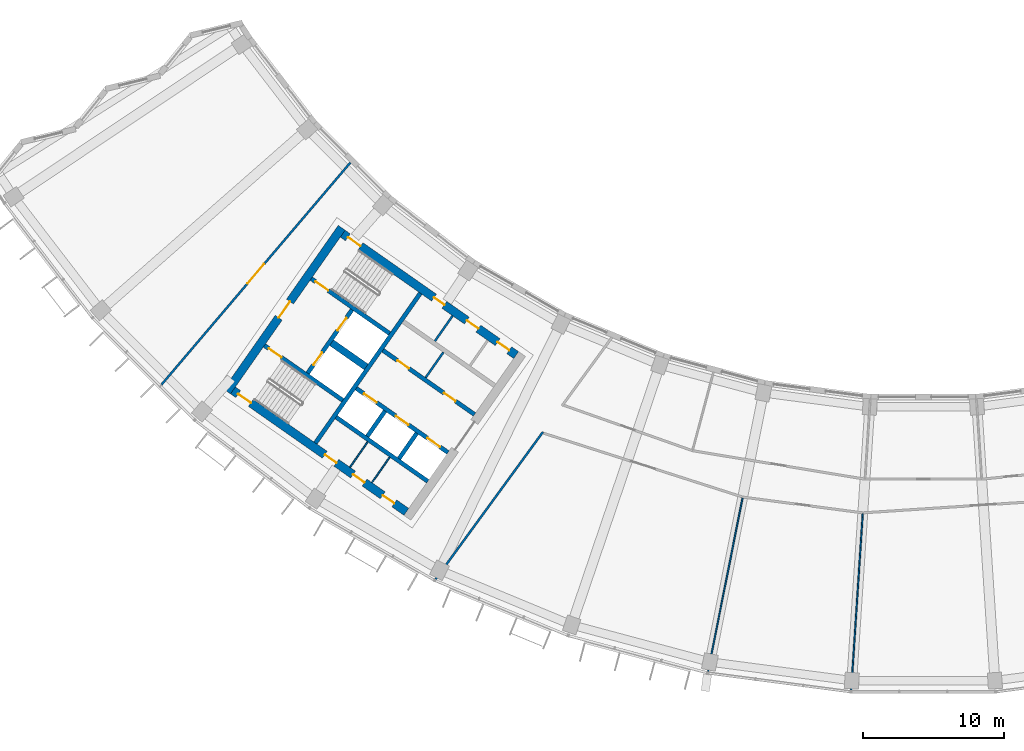
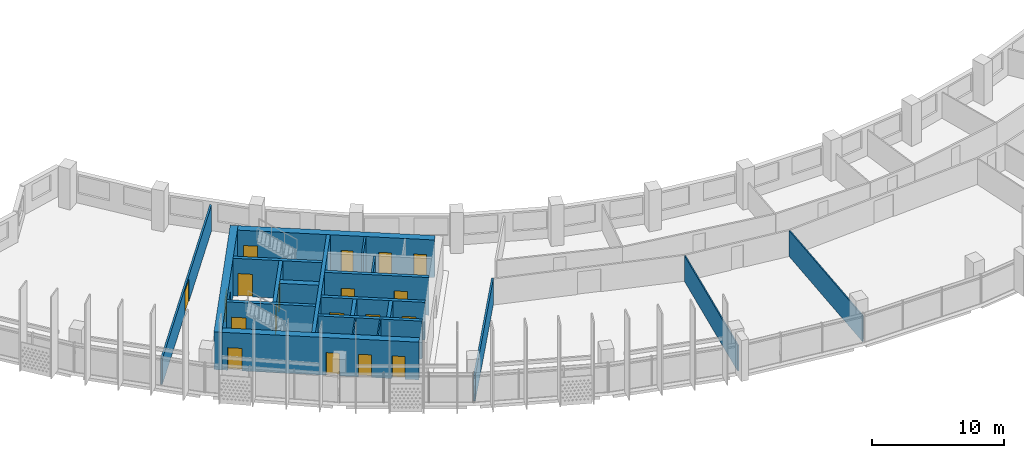
# One storey, part 3 of 27: 21 walls, 19 doors, 19 openings.
"""IFC4 building model written with IfcOpenShell, lengths in metres."""

from ifc_helpers import new_model, si_unit, direction, frame, frame_2d, origin, place, context, subcontext, project, spatial, rectangle, extrude, material, layer, layer_set, type_object, element, fill, save


model = new_model("IFC4")

# Units and contexts
model_context = context("Model", 3, precision=1e-05, world=origin(), true_north=direction((0.0, 1.0)))
body_context = subcontext(model_context, "Body", "Model", "MODEL_VIEW")
ifc_project = project(units=[si_unit("LENGTHUNIT", "METRE"), si_unit("AREAUNIT", "SQUARE_METRE"), si_unit("VOLUMEUNIT", "CUBIC_METRE"), si_unit("PLANEANGLEUNIT", "RADIAN"), si_unit("MASSUNIT", "GRAM", prefix="KILO")], contexts=[model_context])

# Site, building, storey
site_placement = place(None, origin())
site = spatial("IfcSite", under=ifc_project, at=site_placement, CompositionType="ELEMENT")
building_placement = place(site_placement, origin())
building = spatial("IfcBuilding", under=site, at=building_placement, Name="Qamariyya Broadcast Tower", CompositionType="ELEMENT")
storey_placement = place(building_placement, frame((0.0, 0.0, 211.300048828125)))
storey = spatial("IfcBuildingStorey", under=building, at=storey_placement, Name="L50", CompositionType="ELEMENT", Elevation=211.300048828125)

# Wall, opening, door
ifc_material_1 = material(Name="Concrete C60/75", Category="concrete")
ifc_layer_1 = layer(ifc_material_1, 0.60009765625)
ifc_layer_set_1 = layer_set([ifc_layer_1], Name="Core wall 600 mm Concrete C60/75")
wall_type_1 = type_object("IfcWallType", Name="Core wall 600 mm Concrete C60/75", PredefinedType="SHEAR", material=ifc_layer_set_1)
wall_1_placement = place(storey_placement, frame((-49.4833984375, -57.031494140625, 0.0), z_axis=(0.0, 0.0, 1.0), x_axis=(0.573560421458, 0.819163257805, 0.0)))
wall_1 = element("IfcWall", 1, at=wall_1_placement, inside=storey, type_object=wall_type_1, Name="k-W-L50-WH", PredefinedType="SHEAR", context=body_context, shape_type="SweptSolid", body=[
    extrude(rectangle(XDim=14.199951171875, YDim=0.60009765625, at=frame_2d((7.10009765625, 0.0))), origin(), (0.0, 0.0, 1.0), 3.5),
])
opening_1_placement = place(wall_1_placement, frame((6.39990234375, 0.0, 0.0)))
opening_1 = element("IfcOpeningElement", 2, at=opening_1_placement, cuts=wall_1, Name="Opening KD2-W1", PredefinedType="OPENING", context=body_context, shape_type="SweptSolid", body=[
    extrude(rectangle(XDim=1.39990234375, YDim=2.10009765625, at=frame_2d((0.699951171875, 1.050048828125))), frame((0.0, 0.31005859375, 0.0), z_axis=(0.0, -1.0, 0.0), x_axis=(1.0, 0.0, 0.0)), (0.0, 0.0, 1.0), 0.6201171875),
])
ifc_material_2 = material(Name="Steel fire-resisting door leaf", Category="steel")
door_type_1 = type_object("IfcDoorType", Name="Fire-fighting lobby door KD2", OperationType="DOUBLE_DOOR_SINGLE_SWING", PredefinedType="DOOR", material=ifc_material_2)
door_1_placement = place(opening_1_placement, origin())
door_1 = element("IfcDoor", 3, at=door_1_placement, inside=storey, type_object=door_type_1, Name="k-W-L50-WH-D15", OperationType="DOUBLE_DOOR_SINGLE_SWING", OverallHeight=2.10009765625, OverallWidth=1.39990234375, PredefinedType="DOOR", context=body_context, shape_type="SweptSolid", body=[
    extrude(rectangle(XDim=1.39990234375, YDim=2.10009765625, at=frame_2d((0.699951171875, 1.050048828125))), frame((0.0, 0.02490234375, 0.0), z_axis=(0.0, -1.0, 0.0), x_axis=(1.0, 0.0, 0.0)), (0.0, 0.0, 1.0), 0.050048828125),
])
fill(opening_1, door_1)

# Wall, openings, doors
wall_2_placement = place(storey_placement, frame((-28.940673828125, -54.447021484375, 0.0), z_axis=(0.0, 0.0, 1.0), x_axis=(-0.819153391756, 0.573574511963, 0.0)))
wall_2 = element("IfcWall", 4, at=wall_2_placement, inside=storey, type_object=wall_type_1, Name="k-W-L50-WI", PredefinedType="SHEAR", context=body_context, shape_type="SweptSolid", body=[
    extrude(rectangle(XDim=15.04541015625, YDim=0.60009765625, at=frame_2d((7.522705078125, 0.0))), origin(), (0.0, 0.0, 1.0), 3.5),
])
opening_2_placement = place(wall_2_placement, frame((0.60009765625, 0.0, 0.0)))
opening_2 = element("IfcOpeningElement", 5, at=opening_2_placement, cuts=wall_2, Name="Opening KD7-W1", PredefinedType="OPENING", context=body_context, shape_type="SweptSolid", body=[
    extrude(rectangle(XDim=1.0, YDim=2.10009765625, at=frame_2d((0.5, 1.050048828125))), frame((0.0, 0.31005859375, 0.0), z_axis=(0.0, -1.0, 0.0), x_axis=(1.0, 0.0, 0.0)), (0.0, 0.0, 1.0), 0.6201171875),
])
opening_3_placement = place(wall_2_placement, frame((3.27490234375, 0.0, 0.0)))
opening_3 = element("IfcOpeningElement", 6, at=opening_3_placement, cuts=wall_2, Name="Opening KD6-W3", PredefinedType="OPENING", context=body_context, shape_type="SweptSolid", body=[
    extrude(rectangle(XDim=1.0, YDim=2.10009765625, at=frame_2d((0.5, 1.050048828125))), frame((0.0, 0.31005859375, 0.0), z_axis=(0.0, -1.0, 0.0), x_axis=(1.0, 0.0, 0.0)), (0.0, 0.0, 1.0), 0.6201171875),
])
opening_4_placement = place(wall_2_placement, frame((6.22509765625, 0.0, 0.0)))
opening_4 = element("IfcOpeningElement", 7, at=opening_4_placement, cuts=wall_2, Name="Opening KD5-W1", PredefinedType="OPENING", context=body_context, shape_type="SweptSolid", body=[
    extrude(rectangle(XDim=0.89990234375, YDim=2.10009765625, at=frame_2d((0.449951171875, 1.050048828125))), frame((0.0, 0.31005859375, 0.0), z_axis=(0.0, -1.0, 0.0), x_axis=(1.0, 0.0, 0.0)), (0.0, 0.0, 1.0), 0.6201171875),
])
opening_5_placement = place(wall_2_placement, frame((13.495361328125, 0.0, 0.0)))
opening_5 = element("IfcOpeningElement", 8, at=opening_5_placement, cuts=wall_2, Name="Opening KD1-W1", PredefinedType="OPENING", context=body_context, shape_type="SweptSolid", body=[
    extrude(rectangle(XDim=1.10009765625, YDim=2.10009765625, at=frame_2d((0.550048828125, 1.050048828125))), frame((0.0, 0.31005859375, 0.0), z_axis=(0.0, -1.0, 0.0), x_axis=(1.0, 0.0, 0.0)), (0.0, 0.0, 1.0), 0.6201171875),
])
door_type_2 = type_object("IfcDoorType", Name="Accessible toilet door KD7", OperationType="SINGLE_SWING_LEFT", PredefinedType="DOOR", material=ifc_material_2)
door_2_placement = place(opening_2_placement, origin())
door_2 = element("IfcDoor", 9, at=door_2_placement, inside=storey, type_object=door_type_2, Name="k-W-L50-WI-D7", OperationType="SINGLE_SWING_RIGHT", OverallHeight=2.10009765625, OverallWidth=1.0, PredefinedType="DOOR", context=body_context, shape_type="SweptSolid", body=[
    extrude(rectangle(XDim=1.0, YDim=2.10009765625, at=frame_2d((0.5, 1.050048828125))), frame((0.0, 0.02490234375, 0.0), z_axis=(0.0, -1.0, 0.0), x_axis=(1.0, 0.0, 0.0)), (0.0, 0.0, 1.0), 0.050048828125),
])
fill(opening_2, door_2)
door_type_3 = type_object("IfcDoorType", Name="Core room door KD6", OperationType="SINGLE_SWING_LEFT", PredefinedType="DOOR", material=ifc_material_2)
door_3_placement = place(opening_3_placement, origin())
door_3 = element("IfcDoor", 10, at=door_3_placement, inside=storey, type_object=door_type_3, Name="k-W-L50-WI-D8", OperationType="SINGLE_SWING_LEFT", OverallHeight=2.10009765625, OverallWidth=1.0, PredefinedType="DOOR", context=body_context, shape_type="SweptSolid", body=[
    extrude(rectangle(XDim=1.0, YDim=2.10009765625, at=frame_2d((0.5, 1.050048828125))), frame((0.0, 0.02490234375, 0.0), z_axis=(0.0, -1.0, 0.0), x_axis=(1.0, 0.0, 0.0)), (0.0, 0.0, 1.0), 0.050048828125),
])
fill(opening_3, door_3)
door_type_4 = type_object("IfcDoorType", Name="Stair door KD1", OperationType="SINGLE_SWING_LEFT", PredefinedType="DOOR", material=ifc_material_2)
door_4_placement = place(opening_5_placement, origin())
door_4 = element("IfcDoor", 11, at=door_4_placement, inside=storey, type_object=door_type_4, Name="k-W-L50-WI-D16", OperationType="SINGLE_SWING_RIGHT", OverallHeight=2.10009765625, OverallWidth=1.10009765625, PredefinedType="DOOR", context=body_context, shape_type="SweptSolid", body=[
    extrude(rectangle(XDim=1.10009765625, YDim=2.10009765625, at=frame_2d((0.550048828125, 1.050048828125))), frame((0.0, 0.02490234375, 0.0), z_axis=(0.0, -1.0, 0.0), x_axis=(1.0, 0.0, 0.0)), (0.0, 0.0, 1.0), 0.050048828125),
])
fill(opening_5, door_4)
door_type_5 = type_object("IfcDoorType", Name="Toilet door KD5", OperationType="SINGLE_SWING_LEFT", PredefinedType="DOOR", material=ifc_material_2)
door_5_placement = place(opening_4_placement, origin())
door_5 = element("IfcDoor", 12, at=door_5_placement, inside=storey, type_object=door_type_5, Name="k-W-L50-WI-D9", OperationType="SINGLE_SWING_RIGHT", OverallHeight=2.10009765625, OverallWidth=0.89990234375, PredefinedType="DOOR", context=body_context, shape_type="SweptSolid", body=[
    extrude(rectangle(XDim=0.89990234375, YDim=2.10009765625, at=frame_2d((0.449951171875, 1.050048828125))), frame((0.0, 0.02490234375, 0.0), z_axis=(0.0, -1.0, 0.0), x_axis=(1.0, 0.0, 0.0)), (0.0, 0.0, 1.0), 0.050048828125),
])
fill(opening_4, door_5)

wall_3_placement = place(storey_placement, frame((-36.7412109375, -65.58740234375, 0.0), z_axis=(0.0, 0.0, 1.0), x_axis=(-0.819153391756, 0.573574511963, 0.0)))
wall_3 = element("IfcWall", 13, at=wall_3_placement, inside=storey, type_object=wall_type_1, Name="k-W-L50-WO", PredefinedType="SHEAR", context=body_context, shape_type="SweptSolid", body=[
    extrude(rectangle(XDim=15.04541015625, YDim=0.60009765625, at=frame_2d((7.522705078125, 0.0))), origin(), (0.0, 0.0, 1.0), 3.5),
])
opening_6_placement = place(wall_3_placement, frame((1.050048828125, 0.0, 0.0)))
opening_6 = element("IfcOpeningElement", 14, at=opening_6_placement, cuts=wall_3, Name="Opening KD4-W1", PredefinedType="OPENING", context=body_context, shape_type="SweptSolid", body=[
    extrude(rectangle(XDim=1.0, YDim=2.10009765625, at=frame_2d((0.5, 1.050048828125))), frame((0.0, 0.31005859375, 0.0), z_axis=(0.0, -1.0, 0.0), x_axis=(1.0, 0.0, 0.0)), (0.0, 0.0, 1.0), 0.6201171875),
])
opening_7_placement = place(wall_3_placement, frame((3.625, 0.0, 0.0)))
opening_7 = element("IfcOpeningElement", 15, at=opening_7_placement, cuts=wall_3, Name="Opening KD4-W2", PredefinedType="OPENING", context=body_context, shape_type="SweptSolid", body=[
    extrude(rectangle(XDim=1.0, YDim=2.10009765625, at=frame_2d((0.5, 1.050048828125))), frame((0.0, 0.31005859375, 0.0), z_axis=(0.0, -1.0, 0.0), x_axis=(1.0, 0.0, 0.0)), (0.0, 0.0, 1.0), 0.6201171875),
])
opening_8_placement = place(wall_3_placement, frame((6.074951171875, 0.0, 0.0)))
opening_8 = element("IfcOpeningElement", 16, at=opening_8_placement, cuts=wall_3, Name="Opening KD6-W4", PredefinedType="OPENING", context=body_context, shape_type="SweptSolid", body=[
    extrude(rectangle(XDim=1.0, YDim=2.10009765625, at=frame_2d((0.5, 1.050048828125))), frame((0.0, 0.31005859375, 0.0), z_axis=(0.0, -1.0, 0.0), x_axis=(1.0, 0.0, 0.0)), (0.0, 0.0, 1.0), 0.6201171875),
])
opening_9_placement = place(wall_3_placement, frame((13.495361328125, 0.0, 0.0)))
opening_9 = element("IfcOpeningElement", 17, at=opening_9_placement, cuts=wall_3, Name="Opening KD1-W3", PredefinedType="OPENING", context=body_context, shape_type="SweptSolid", body=[
    extrude(rectangle(XDim=1.10009765625, YDim=2.10009765625, at=frame_2d((0.550048828125, 1.050048828125))), frame((0.0, 0.31005859375, 0.0), z_axis=(0.0, -1.0, 0.0), x_axis=(1.0, 0.0, 0.0)), (0.0, 0.0, 1.0), 0.6201171875),
])
door_6_placement = place(opening_8_placement, origin())
door_6 = element("IfcDoor", 18, at=door_6_placement, inside=storey, type_object=door_type_3, Name="k-W-L50-WO-D12", OperationType="SINGLE_SWING_LEFT", OverallHeight=2.10009765625, OverallWidth=1.0, PredefinedType="DOOR", context=body_context, shape_type="SweptSolid", body=[
    extrude(rectangle(XDim=1.0, YDim=2.10009765625, at=frame_2d((0.5, 1.050048828125))), frame((0.0, 0.02490234375, 0.0), z_axis=(0.0, -1.0, 0.0), x_axis=(1.0, 0.0, 0.0)), (0.0, 0.0, 1.0), 0.050048828125),
])
fill(opening_8, door_6)
door_type_6 = type_object("IfcDoorType", Name="Riser and plant door KD4", OperationType="SINGLE_SWING_LEFT", PredefinedType="DOOR", material=ifc_material_2)
door_7_placement = place(opening_6_placement, origin())
door_7 = element("IfcDoor", 19, at=door_7_placement, inside=storey, type_object=door_type_6, Name="k-W-L50-WO-D10", OperationType="SINGLE_SWING_LEFT", OverallHeight=2.10009765625, OverallWidth=1.0, PredefinedType="DOOR", context=body_context, shape_type="SweptSolid", body=[
    extrude(rectangle(XDim=1.0, YDim=2.10009765625, at=frame_2d((0.5, 1.050048828125))), frame((0.0, 0.02490234375, 0.0), z_axis=(0.0, -1.0, 0.0), x_axis=(1.0, 0.0, 0.0)), (0.0, 0.0, 1.0), 0.050048828125),
])
fill(opening_6, door_7)
door_8_placement = place(opening_7_placement, origin())
door_8 = element("IfcDoor", 20, at=door_8_placement, inside=storey, type_object=door_type_6, Name="k-W-L50-WO-D11", OperationType="SINGLE_SWING_RIGHT", OverallHeight=2.10009765625, OverallWidth=1.0, PredefinedType="DOOR", context=body_context, shape_type="SweptSolid", body=[
    extrude(rectangle(XDim=1.0, YDim=2.10009765625, at=frame_2d((0.5, 1.050048828125))), frame((0.0, 0.02490234375, 0.0), z_axis=(0.0, -1.0, 0.0), x_axis=(1.0, 0.0, 0.0)), (0.0, 0.0, 1.0), 0.050048828125),
])
fill(opening_7, door_8)
door_9_placement = place(opening_9_placement, origin())
door_9 = element("IfcDoor", 21, at=door_9_placement, inside=storey, type_object=door_type_4, Name="k-W-L50-WO-D18", OperationType="SINGLE_SWING_LEFT", OverallHeight=2.10009765625, OverallWidth=1.10009765625, PredefinedType="DOOR", context=body_context, shape_type="SweptSolid", body=[
    extrude(rectangle(XDim=1.10009765625, YDim=2.10009765625, at=frame_2d((0.550048828125, 1.050048828125))), frame((0.0, 0.02490234375, 0.0), z_axis=(0.0, -1.0, 0.0), x_axis=(1.0, 0.0, 0.0)), (0.0, 0.0, 1.0), 0.050048828125),
])
fill(opening_9, door_9)

# Wall, opening, door
ifc_material_3 = material(Name="Gypsum board partition")
ifc_layer_2 = layer(ifc_material_3, 0.14990234375)
ifc_layer_set_2 = layer_set([ifc_layer_2], Name="Corridor partition 150 EI 60")
wall_type_2 = type_object("IfcWallType", Name="Corridor partition 150 EI 60", PredefinedType="PARTITIONING", material=ifc_layer_set_2)
wall_4_placement = place(storey_placement, frame((-54.15283203125, -56.554931640625, 0.0), z_axis=(0.0, 0.0, 1.0), x_axis=(0.647962636986, 0.761672121762, 0.0)))
wall_4 = element("IfcWall", 22, at=wall_4_placement, inside=storey, type_object=wall_type_2, Name="Partition L50-001", PredefinedType="PARTITIONING", context=body_context, shape_type="SweptSolid", body=[
    extrude(rectangle(XDim=20.723388671875, YDim=0.14990234375, at=frame_2d((10.36181640625, 0.0))), origin(), (0.0, 0.0, 1.0), 2.39990234375),
])
opening_10_placement = place(wall_4_placement, frame((9.461669921875, 0.0, 0.0)))
opening_10 = element("IfcOpeningElement", 23, at=opening_10_placement, cuts=wall_4, Name="Opening L50-D12", PredefinedType="OPENING", context=body_context, shape_type="SweptSolid", body=[
    extrude(rectangle(XDim=1.800048828125, YDim=2.10009765625, at=frame_2d((0.89990234375, 1.050048828125))), frame((0.0, 0.0849609375, 0.0), z_axis=(0.0, -1.0, 0.0), x_axis=(1.0, 0.0, 0.0)), (0.0, 0.0, 1.0), 0.169921875),
])
ifc_material_4 = material(Name="Timber fire door leaf", Category="wood")
door_type_7 = type_object("IfcDoorType", Name="Double fire door 1800 x 2100 FD60", OperationType="NOTDEFINED", PredefinedType="DOOR", material=ifc_material_4)
door_10_placement = place(opening_10_placement, origin())
door_10 = element("IfcDoor", 24, at=door_10_placement, inside=storey, type_object=door_type_7, Name="Door L50-D12", OperationType="DOUBLE_DOOR_SINGLE_SWING", OverallHeight=2.10009765625, OverallWidth=1.800048828125, PredefinedType="DOOR", context=body_context, shape_type="SweptSolid", body=[
    extrude(rectangle(XDim=1.800048828125, YDim=2.10009765625, at=frame_2d((0.89990234375, 1.050048828125))), frame((0.0, 0.02490234375, 0.0), z_axis=(0.0, -1.0, 0.0), x_axis=(1.0, 0.0, 0.0)), (0.0, 0.0, 1.0), 0.050048828125),
])
fill(opening_10, door_10)

# Walls
wall_5_placement = place(storey_placement, frame((-27.033447265625, -59.90966796875, 0.0), z_axis=(0.0, 0.0, 1.0), x_axis=(-0.589273648147, -0.807933516819, 0.0)))
element("IfcWall", 25, at=wall_5_placement, inside=storey, type_object=wall_type_2, Name="Partition L50-002", PredefinedType="PARTITIONING", context=body_context, shape_type="SweptSolid", body=[
    extrude(rectangle(XDim=12.956298828125, YDim=0.14990234375, at=frame_2d((6.47802734375, 0.0))), origin(), (0.0, 0.0, 1.0), 2.39990234375),
])
ifc_layer_3 = layer(ifc_material_1, 0.5)
ifc_layer_set_3 = layer_set([ifc_layer_3], Name="Fire-fighting lobby divider wall 500 mm Concrete C60/75")
wall_type_3 = type_object("IfcWallType", Name="Fire-fighting lobby divider wall 500 mm Concrete C60/75", PredefinedType="SOLIDWALL", material=ifc_layer_set_3)
wall_6_placement = place(storey_placement, frame((-39.59912109375, -55.28515625, 0.0), z_axis=(0.0, 0.0, 1.0), x_axis=(-0.819136323161, 0.573598887793, 0.0)))
element("IfcWall", 26, at=wall_6_placement, inside=storey, type_object=wall_type_3, Name="k-W-L50-FD", PredefinedType="SOLIDWALL", context=body_context, shape_type="SweptSolid", body=[
    extrude(rectangle(XDim=2.999755859375, YDim=0.5, at=frame_2d((1.5, 0.0))), origin(), (0.0, 0.0, 1.0), 3.5),
])
ifc_material_5 = material(Name="Gypsum board partition on steel studs", Category="steel")
ifc_layer_4 = layer(ifc_material_5, 0.14990234375)
ifc_layer_set_4 = layer_set([ifc_layer_4], Name="Gypsum board partition 150 mm")
wall_type_4 = type_object("IfcWallType", Name="Gypsum board partition 150 mm", PredefinedType="PARTITIONING", material=ifc_layer_set_4)
wall_7_placement = place(storey_placement, frame((-35.371826171875, -56.047607421875, 0.0), z_axis=(0.0, 0.0, 1.0), x_axis=(0.573559170999, 0.819164133348, 0.0)))
element("IfcWall", 27, at=wall_7_placement, inside=storey, type_object=wall_type_4, Name="k-W-L50-NC435", PredefinedType="PARTITIONING", context=body_context, shape_type="SweptSolid", body=[
    extrude(rectangle(XDim=2.19970703125, YDim=0.14990234375, at=frame_2d((1.099853515625, 0.0))), origin(), (0.0, 0.0, 1.0), 3.5),
])
wall_8_placement = place(storey_placement, frame((-34.716064453125, -53.454833984375, 0.0), z_axis=(0.0, 0.0, 1.0), x_axis=(0.573507030513, 0.819200638399, 0.0)))
element("IfcWall", 28, at=wall_8_placement, inside=storey, type_object=wall_type_4, Name="k-W-L50-NP530", PredefinedType="PARTITIONING", context=body_context, shape_type="SweptSolid", body=[
    extrude(rectangle(XDim=2.199951171875, YDim=0.14990234375, at=frame_2d((1.10009765625, 0.0))), origin(), (0.0, 0.0, 1.0), 3.5),
])
ifc_layer_5 = layer(ifc_material_1, 0.300048828125)
ifc_layer_set_5 = layer_set([ifc_layer_5], Name="Lift shaft wall 300 mm Concrete C60/75")
wall_type_5 = type_object("IfcWallType", Name="Lift shaft wall 300 mm Concrete C60/75", PredefinedType="SOLIDWALL", material=ifc_layer_set_5)
wall_9_placement = place(storey_placement, frame((-43.204345703125, -60.69580078125, 0.0), z_axis=(0.0, 0.0, 1.0), x_axis=(0.573571992966, 0.819155155563, 0.0)))
element("IfcWall", 29, at=wall_9_placement, inside=storey, type_object=wall_type_5, Name="k-W-L50-WL", PredefinedType="SOLIDWALL", context=body_context, shape_type="SweptSolid", body=[
    extrude(rectangle(XDim=13.000244140625, YDim=0.300048828125, at=frame_2d((6.5, 0.0))), origin(), (0.0, 0.0, 1.0), 3.5),
])

# Wall, openings, doors
wall_10_placement = place(storey_placement, frame((-31.89453125, -58.66552734375, 0.0), z_axis=(0.0, 0.0, 1.0), x_axis=(-0.819166993208, 0.573555086491, 0.0)))
wall_10 = element("IfcWall", 30, at=wall_10_placement, inside=storey, type_object=wall_type_5, Name="k-W-L50-NF0", PredefinedType="SOLIDWALL", context=body_context, shape_type="SweptSolid", body=[
    extrude(rectangle(XDim=7.9501953125, YDim=0.300048828125, at=frame_2d((3.97509765625, 0.0))), origin(), (0.0, 0.0, 1.0), 3.5),
])
opening_11_placement = place(wall_10_placement, frame((1.637451171875, 0.0, 0.0)))
opening_11 = element("IfcOpeningElement", 31, at=opening_11_placement, cuts=wall_10, Name="Opening KD6-W1", PredefinedType="OPENING", context=body_context, shape_type="SweptSolid", body=[
    extrude(rectangle(XDim=1.0, YDim=2.10009765625, at=frame_2d((0.5, 1.050048828125))), frame((0.0, 0.159912109375, 0.0), z_axis=(0.0, -1.0, 0.0), x_axis=(1.0, 0.0, 0.0)), (0.0, 0.0, 1.0), 0.320068359375),
])
opening_12_placement = place(wall_10_placement, frame((5.6875, 0.0, 0.0)))
opening_12 = element("IfcOpeningElement", 32, at=opening_12_placement, cuts=wall_10, Name="Opening KD6-W2", PredefinedType="OPENING", context=body_context, shape_type="SweptSolid", body=[
    extrude(rectangle(XDim=1.0, YDim=2.10009765625, at=frame_2d((0.5, 1.050048828125))), frame((0.0, 0.159912109375, 0.0), z_axis=(0.0, -1.0, 0.0), x_axis=(1.0, 0.0, 0.0)), (0.0, 0.0, 1.0), 0.320068359375),
])
door_11_placement = place(opening_11_placement, origin())
door_11 = element("IfcDoor", 33, at=door_11_placement, inside=storey, type_object=door_type_3, Name="k-W-L50-NF0-D2", OperationType="SINGLE_SWING_LEFT", OverallHeight=2.10009765625, OverallWidth=1.0, PredefinedType="DOOR", context=body_context, shape_type="SweptSolid", body=[
    extrude(rectangle(XDim=1.0, YDim=2.10009765625, at=frame_2d((0.5, 1.050048828125))), frame((0.0, 0.02490234375, 0.0), z_axis=(0.0, -1.0, 0.0), x_axis=(1.0, 0.0, 0.0)), (0.0, 0.0, 1.0), 0.050048828125),
])
fill(opening_11, door_11)
door_12_placement = place(opening_12_placement, origin())
door_12 = element("IfcDoor", 34, at=door_12_placement, inside=storey, type_object=door_type_3, Name="k-W-L50-NF0-D3", OperationType="SINGLE_SWING_RIGHT", OverallHeight=2.10009765625, OverallWidth=1.0, PredefinedType="DOOR", context=body_context, shape_type="SweptSolid", body=[
    extrude(rectangle(XDim=1.0, YDim=2.10009765625, at=frame_2d((0.5, 1.050048828125))), frame((0.0, 0.02490234375, 0.0), z_axis=(0.0, -1.0, 0.0), x_axis=(1.0, 0.0, 0.0)), (0.0, 0.0, 1.0), 0.050048828125),
])
fill(opening_12, door_12)

wall_11_placement = place(storey_placement, frame((-33.787353515625, -61.368896484375, 0.0), z_axis=(0.0, 0.0, 1.0), x_axis=(-0.819152564888, 0.573575692858, 0.0)))
wall_11 = element("IfcWall", 35, at=wall_11_placement, inside=storey, type_object=wall_type_5, Name="k-W-L50-SF0", PredefinedType="SOLIDWALL", context=body_context, shape_type="SweptSolid", body=[
    extrude(rectangle(XDim=7.9501953125, YDim=0.300048828125, at=frame_2d((3.97509765625, 0.0))), origin(), (0.0, 0.0, 1.0), 3.5),
])
opening_13_placement = place(wall_11_placement, frame((0.675048828125, 0.0, 0.0)))
opening_13 = element("IfcOpeningElement", 36, at=opening_13_placement, cuts=wall_11, Name="Opening LD", PredefinedType="OPENING", context=body_context, shape_type="SweptSolid", body=[
    extrude(rectangle(XDim=1.10009765625, YDim=2.10009765625, at=frame_2d((0.550048828125, 1.050048828125))), frame((0.0, 0.159912109375, 0.0), z_axis=(0.0, -1.0, 0.0), x_axis=(1.0, 0.0, 0.0)), (0.0, 0.0, 1.0), 0.320068359375),
])
opening_14_placement = place(wall_11_placement, frame((3.425048828125, 0.0, 0.0)))
opening_14 = element("IfcOpeningElement", 37, at=opening_14_placement, cuts=wall_11, Name="Opening LD", PredefinedType="OPENING", context=body_context, shape_type="SweptSolid", body=[
    extrude(rectangle(XDim=1.10009765625, YDim=2.10009765625, at=frame_2d((0.550048828125, 1.050048828125))), frame((0.0, 0.159912109375, 0.0), z_axis=(0.0, -1.0, 0.0), x_axis=(1.0, 0.0, 0.0)), (0.0, 0.0, 1.0), 0.320068359375),
])
opening_15_placement = place(wall_11_placement, frame((6.175048828125, 0.0, 0.0)))
opening_15 = element("IfcOpeningElement", 38, at=opening_15_placement, cuts=wall_11, Name="Opening LD", PredefinedType="OPENING", context=body_context, shape_type="SweptSolid", body=[
    extrude(rectangle(XDim=1.10009765625, YDim=2.10009765625, at=frame_2d((0.550048828125, 1.050048828125))), frame((0.0, 0.159912109375, 0.0), z_axis=(0.0, -1.0, 0.0), x_axis=(1.0, 0.0, 0.0)), (0.0, 0.0, 1.0), 0.320068359375),
])
door_type_8 = type_object("IfcDoorType", Name="Lift landing door LD", OperationType="DOUBLE_DOOR_SLIDING", PredefinedType="DOOR", material=ifc_material_2)
door_13_placement = place(opening_13_placement, origin())
door_13 = element("IfcDoor", 39, at=door_13_placement, inside=storey, type_object=door_type_8, Name="k-W-L50-SF0-D4", OperationType="DOUBLE_DOOR_SLIDING", OverallHeight=2.10009765625, OverallWidth=1.10009765625, PredefinedType="DOOR", context=body_context, shape_type="SweptSolid", body=[
    extrude(rectangle(XDim=1.10009765625, YDim=2.10009765625, at=frame_2d((0.550048828125, 1.050048828125))), frame((0.0, 0.02490234375, 0.0), z_axis=(0.0, -1.0, 0.0), x_axis=(1.0, 0.0, 0.0)), (0.0, 0.0, 1.0), 0.050048828125),
])
fill(opening_13, door_13)
door_14_placement = place(opening_14_placement, origin())
door_14 = element("IfcDoor", 40, at=door_14_placement, inside=storey, type_object=door_type_8, Name="k-W-L50-SF0-D5", OperationType="DOUBLE_DOOR_SLIDING", OverallHeight=2.10009765625, OverallWidth=1.10009765625, PredefinedType="DOOR", context=body_context, shape_type="SweptSolid", body=[
    extrude(rectangle(XDim=1.10009765625, YDim=2.10009765625, at=frame_2d((0.550048828125, 1.050048828125))), frame((0.0, 0.02490234375, 0.0), z_axis=(0.0, -1.0, 0.0), x_axis=(1.0, 0.0, 0.0)), (0.0, 0.0, 1.0), 0.050048828125),
])
fill(opening_14, door_14)
door_15_placement = place(opening_15_placement, origin())
door_15 = element("IfcDoor", 41, at=door_15_placement, inside=storey, type_object=door_type_8, Name="k-W-L50-SF0-D6", OperationType="DOUBLE_DOOR_SLIDING", OverallHeight=2.10009765625, OverallWidth=1.10009765625, PredefinedType="DOOR", context=body_context, shape_type="SweptSolid", body=[
    extrude(rectangle(XDim=1.10009765625, YDim=2.10009765625, at=frame_2d((0.550048828125, 1.050048828125))), frame((0.0, 0.02490234375, 0.0), z_axis=(0.0, -1.0, 0.0), x_axis=(1.0, 0.0, 0.0)), (0.0, 0.0, 1.0), 0.050048828125),
])
fill(opening_15, door_15)

# Walls
wall_12_placement = place(storey_placement, frame((-35.22119140625, -63.41650390625, 0.0), z_axis=(0.0, 0.0, 1.0), x_axis=(-0.819166993208, 0.573555086491, 0.0)))
element("IfcWall", 42, at=wall_12_placement, inside=storey, type_object=wall_type_5, Name="k-W-L50-SB0", PredefinedType="SOLIDWALL", context=body_context, shape_type="SweptSolid", body=[
    extrude(rectangle(XDim=7.9501953125, YDim=0.300048828125, at=frame_2d((3.97509765625, 0.0))), origin(), (0.0, 0.0, 1.0), 3.5),
])
wall_13_placement = place(storey_placement, frame((-36.003173828125, -60.000244140625, 0.0), z_axis=(0.0, 0.0, 1.0), x_axis=(-0.573581496053, -0.819148501424, 0.0)))
element("IfcWall", 43, at=wall_13_placement, inside=storey, type_object=wall_type_5, Name="k-W-L50-SD0", PredefinedType="SOLIDWALL", context=body_context, shape_type="SweptSolid", body=[
    extrude(rectangle(XDim=2.2001953125, YDim=0.300048828125, at=frame_2d((1.10009765625, 0.0))), origin(), (0.0, 0.0, 1.0), 3.5),
])
wall_14_placement = place(storey_placement, frame((-38.255859375, -58.423095703125, 0.0), z_axis=(0.0, 0.0, 1.0), x_axis=(-0.573633636671, -0.819111989218, 0.0)))
element("IfcWall", 44, at=wall_14_placement, inside=storey, type_object=wall_type_5, Name="k-W-L50-SD1", PredefinedType="SOLIDWALL", context=body_context, shape_type="SweptSolid", body=[
    extrude(rectangle(XDim=2.199951171875, YDim=0.300048828125, at=frame_2d((1.10009765625, 0.0))), origin(), (0.0, 0.0, 1.0), 3.5),
])

# Wall, opening, door
wall_15_placement = place(storey_placement, frame((-37.935546875, -52.90966796875, 0.0), z_axis=(0.0, 0.0, 1.0), x_axis=(-0.819147518138, 0.57358290031, 0.0)))
wall_15 = element("IfcWall", 45, at=wall_15_placement, inside=storey, type_object=wall_type_5, Name="k-W-L50-NW", PredefinedType="SOLIDWALL", context=body_context, shape_type="SweptSolid", body=[
    extrude(rectangle(XDim=6.79541015625, YDim=0.300048828125, at=frame_2d((3.397705078125, 0.0))), origin(), (0.0, 0.0, 1.0), 3.5),
])
opening_16_placement = place(wall_15_placement, frame((5.3203125, 0.0, 0.0)))
opening_16 = element("IfcOpeningElement", 46, at=opening_16_placement, cuts=wall_15, Name="Opening KD1-W2", PredefinedType="OPENING", context=body_context, shape_type="SweptSolid", body=[
    extrude(rectangle(XDim=1.10009765625, YDim=2.10009765625, at=frame_2d((0.550048828125, 1.050048828125))), frame((0.0, 0.159912109375, 0.0), z_axis=(0.0, -1.0, 0.0), x_axis=(1.0, 0.0, 0.0)), (0.0, 0.0, 1.0), 0.320068359375),
])
door_16_placement = place(opening_16_placement, origin())
door_16 = element("IfcDoor", 47, at=door_16_placement, inside=storey, type_object=door_type_4, Name="k-W-L50-NW-D17", OperationType="SINGLE_SWING_RIGHT", OverallHeight=2.10009765625, OverallWidth=1.10009765625, PredefinedType="DOOR", context=body_context, shape_type="SweptSolid", body=[
    extrude(rectangle(XDim=1.10009765625, YDim=2.10009765625, at=frame_2d((0.550048828125, 1.050048828125))), frame((0.0, 0.02490234375, 0.0), z_axis=(0.0, -1.0, 0.0), x_axis=(1.0, 0.0, 0.0)), (0.0, 0.0, 1.0), 0.050048828125),
])
fill(opening_16, door_16)

wall_16_placement = place(storey_placement, frame((-41.262451171875, -57.66064453125, 0.0), z_axis=(0.0, 0.0, 1.0), x_axis=(-0.819164398642, 0.573558792102, 0.0)))
wall_16 = element("IfcWall", 48, at=wall_16_placement, inside=storey, type_object=wall_type_5, Name="k-W-L50-SW", PredefinedType="SOLIDWALL", context=body_context, shape_type="SweptSolid", body=[
    extrude(rectangle(XDim=6.795166015625, YDim=0.300048828125, at=frame_2d((3.3974609375, 0.0))), origin(), (0.0, 0.0, 1.0), 3.5),
])
opening_17_placement = place(wall_16_placement, frame((5.3203125, 0.0, 0.0)))
opening_17 = element("IfcOpeningElement", 49, at=opening_17_placement, cuts=wall_16, Name="Opening KD1-W4", PredefinedType="OPENING", context=body_context, shape_type="SweptSolid", body=[
    extrude(rectangle(XDim=1.10009765625, YDim=2.10009765625, at=frame_2d((0.550048828125, 1.050048828125))), frame((0.0, 0.159912109375, 0.0), z_axis=(0.0, -1.0, 0.0), x_axis=(1.0, 0.0, 0.0)), (0.0, 0.0, 1.0), 0.320068359375),
])
door_17_placement = place(opening_17_placement, origin())
door_17 = element("IfcDoor", 50, at=door_17_placement, inside=storey, type_object=door_type_4, Name="k-W-L50-SW-D19", OperationType="SINGLE_SWING_RIGHT", OverallHeight=2.10009765625, OverallWidth=1.10009765625, PredefinedType="DOOR", context=body_context, shape_type="SweptSolid", body=[
    extrude(rectangle(XDim=1.10009765625, YDim=2.10009765625, at=frame_2d((0.550048828125, 1.050048828125))), frame((0.0, 0.02490234375, 0.0), z_axis=(0.0, -1.0, 0.0), x_axis=(1.0, 0.0, 0.0)), (0.0, 0.0, 1.0), 0.050048828125),
])
fill(opening_17, door_17)

# Wall, openings, doors
wall_17_placement = place(storey_placement, frame((-43.756591796875, -55.731201171875, 0.0), z_axis=(0.0, 0.0, 1.0), x_axis=(0.573536818435, 0.819179783625, 0.0)))
wall_17 = element("IfcWall", 51, at=wall_17_placement, inside=storey, type_object=wall_type_5, Name="k-W-L50-FF", PredefinedType="SOLIDWALL", context=body_context, shape_type="SweptSolid", body=[
    extrude(rectangle(XDim=5.500244140625, YDim=0.300048828125, at=frame_2d((2.75, 0.0))), origin(), (0.0, 0.0, 1.0), 3.5),
])
opening_18_placement = place(wall_17_placement, frame((0.699951171875, 0.0, 0.0)))
opening_18 = element("IfcOpeningElement", 52, at=opening_18_placement, cuts=wall_17, Name="Opening LD", PredefinedType="OPENING", context=body_context, shape_type="SweptSolid", body=[
    extrude(rectangle(XDim=1.10009765625, YDim=2.10009765625, at=frame_2d((0.550048828125, 1.050048828125))), frame((0.0, 0.159912109375, 0.0), z_axis=(0.0, -1.0, 0.0), x_axis=(1.0, 0.0, 0.0)), (0.0, 0.0, 1.0), 0.320068359375),
])
opening_19_placement = place(wall_17_placement, frame((3.699951171875, 0.0, 0.0)))
opening_19 = element("IfcOpeningElement", 53, at=opening_19_placement, cuts=wall_17, Name="Opening LD", PredefinedType="OPENING", context=body_context, shape_type="SweptSolid", body=[
    extrude(rectangle(XDim=1.10009765625, YDim=2.10009765625, at=frame_2d((0.550048828125, 1.050048828125))), frame((0.0, 0.159912109375, 0.0), z_axis=(0.0, -1.0, 0.0), x_axis=(1.0, 0.0, 0.0)), (0.0, 0.0, 1.0), 0.320068359375),
])
door_18_placement = place(opening_18_placement, origin())
door_18 = element("IfcDoor", 54, at=door_18_placement, inside=storey, type_object=door_type_8, Name="k-W-L50-FF-D13", OperationType="DOUBLE_DOOR_SLIDING", OverallHeight=2.10009765625, OverallWidth=1.10009765625, PredefinedType="DOOR", context=body_context, shape_type="SweptSolid", body=[
    extrude(rectangle(XDim=1.10009765625, YDim=2.10009765625, at=frame_2d((0.550048828125, 1.050048828125))), frame((0.0, 0.02490234375, 0.0), z_axis=(0.0, -1.0, 0.0), x_axis=(1.0, 0.0, 0.0)), (0.0, 0.0, 1.0), 0.050048828125),
])
fill(opening_18, door_18)
door_19_placement = place(opening_19_placement, origin())
door_19 = element("IfcDoor", 55, at=door_19_placement, inside=storey, type_object=door_type_8, Name="k-W-L50-FF-D14", OperationType="DOUBLE_DOOR_SLIDING", OverallHeight=2.10009765625, OverallWidth=1.10009765625, PredefinedType="DOOR", context=body_context, shape_type="SweptSolid", body=[
    extrude(rectangle(XDim=1.10009765625, YDim=2.10009765625, at=frame_2d((0.550048828125, 1.050048828125))), frame((0.0, 0.02490234375, 0.0), z_axis=(0.0, -1.0, 0.0), x_axis=(1.0, 0.0, 0.0)), (0.0, 0.0, 1.0), 0.050048828125),
])
fill(opening_19, door_19)

# Walls
ifc_layer_6 = layer(ifc_material_3, 0.10009765625)
ifc_layer_set_6 = layer_set([ifc_layer_6], Name="Partition 100")
wall_type_6 = type_object("IfcWallType", Name="Partition 100", PredefinedType="PARTITIONING", material=ifc_layer_set_6)
wall_18_placement = place(storey_placement, frame((-15.304931640625, -76.942626953125, 0.0), z_axis=(0.0, 0.0, 1.0), x_axis=(0.195096765563, 0.98078399868, 0.0)))
element("IfcWall", 56, at=wall_18_placement, inside=storey, type_object=wall_type_6, Name="Partition L50-007", PredefinedType="PARTITIONING", context=body_context, shape_type="SweptSolid", body=[
    extrude(rectangle(XDim=12.5751953125, YDim=0.10009765625, at=frame_2d((6.28759765625, 0.0))), origin(), (0.0, 0.0, 1.0), 2.39990234375),
])
wall_19_placement = place(storey_placement, frame((-5.130859375, -78.281982421875, 0.0), z_axis=(0.0, 0.0, 1.0), x_axis=(0.065408206533, 0.997858590442, 0.0)))
element("IfcWall", 57, at=wall_19_placement, inside=storey, type_object=wall_type_6, Name="Partition L50-010", PredefinedType="PARTITIONING", context=body_context, shape_type="SweptSolid", body=[
    extrude(rectangle(XDim=12.574951171875, YDim=0.10009765625, at=frame_2d((6.28759765625, 0.0))), origin(), (0.0, 0.0, 1.0), 2.39990234375),
])
ifc_material_6 = material(Name="Fire-rated gypsum shaft liner on steel studs", Category="steel")
ifc_layer_7 = layer(ifc_material_6, 0.10009765625)
ifc_layer_set_7 = layer_set([ifc_layer_7], Name="Riser wall 100 mm")
wall_type_7 = type_object("IfcWallType", Name="Riser wall 100 mm", PredefinedType="PLUMBINGWALL", material=ifc_layer_set_7)
wall_20_placement = place(storey_placement, frame((-37.9287109375, -61.7041015625, 0.0), z_axis=(0.0, 0.0, 1.0), x_axis=(-0.573559170999, -0.819164133348, 0.0)))
element("IfcWall", 58, at=wall_20_placement, inside=storey, type_object=wall_type_7, Name="k-W-L50-SP320", PredefinedType="PLUMBINGWALL", context=body_context, shape_type="SweptSolid", body=[
    extrude(rectangle(XDim=2.19970703125, YDim=0.10009765625, at=frame_2d((1.099853515625, 0.0))), origin(), (0.0, 0.0, 1.0), 3.5),
])
wall_21_placement = place(storey_placement, frame((-39.485107421875, -60.6142578125, 0.0), z_axis=(0.0, 0.0, 1.0), x_axis=(-0.573507030513, -0.819200638399, 0.0)))
element("IfcWall", 59, at=wall_21_placement, inside=storey, type_object=wall_type_7, Name="k-W-L50-SP510", PredefinedType="PLUMBINGWALL", context=body_context, shape_type="SweptSolid", body=[
    extrude(rectangle(XDim=2.199951171875, YDim=0.10009765625, at=frame_2d((1.10009765625, 0.0))), origin(), (0.0, 0.0, 1.0), 3.5),
])

save(model, "model.ifc")
